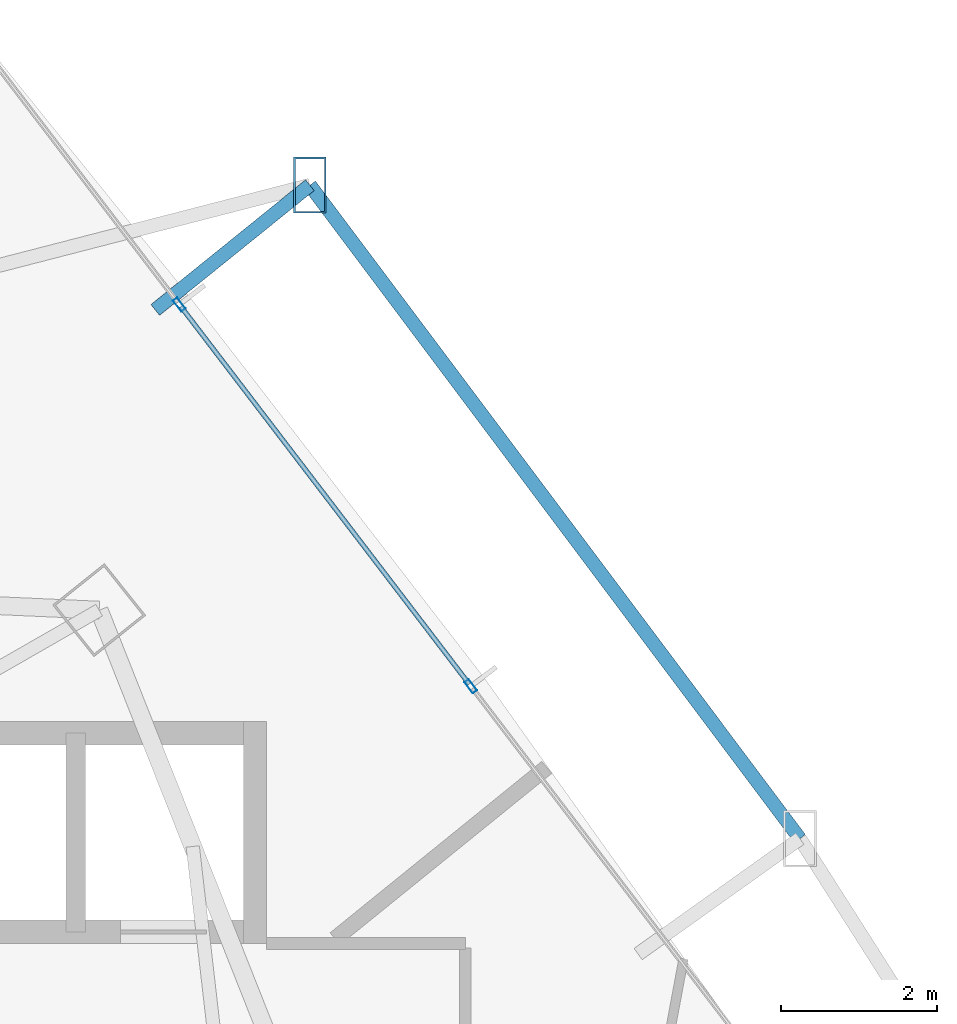
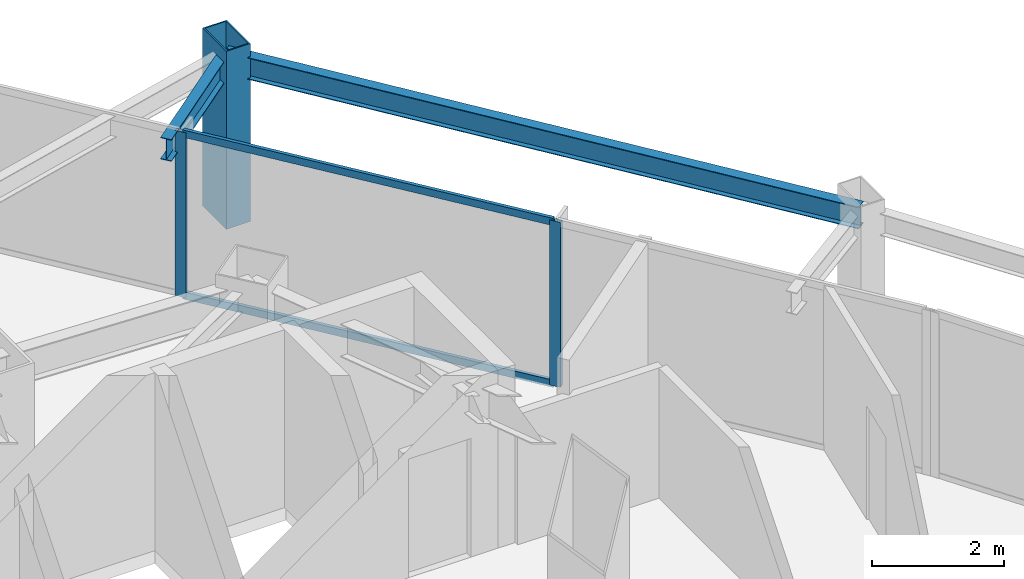
# One storey, part 27 of 34: 5 members, 2 beams, 1 element without a shape of its own.
"""IFC4 building model written with IfcOpenShell, lengths in metres."""

from ifc_helpers import new_model, si_unit, direction, frame, origin, origin_2d, place, context, subcontext, project, spatial, hollow_rectangle, i_section, extrude, material, layer, layer_set, material_profile, profile_set, type_object, element, aggregate, save


model = new_model("IFC4")

# Units and contexts
model_context = context("Model", 3, precision=1e-05, world=origin(), true_north=direction((0.0, 1.0)))
body_context = subcontext(model_context, "Body", "Model", "MODEL_VIEW")
ifc_project = project(units=[si_unit("LENGTHUNIT", "METRE"), si_unit("AREAUNIT", "SQUARE_METRE"), si_unit("VOLUMEUNIT", "CUBIC_METRE"), si_unit("PLANEANGLEUNIT", "RADIAN"), si_unit("MASSUNIT", "GRAM", prefix="KILO")], contexts=[model_context])

# Site, building, storey
site_placement = place(None, origin())
site = spatial("IfcSite", under=ifc_project, at=site_placement, CompositionType="ELEMENT")
building_placement = place(site_placement, origin())
building = spatial("IfcBuilding", under=site, at=building_placement, Name="Orvanel Arch Residences", CompositionType="ELEMENT")
storey_placement = place(building_placement, frame((0.0, 0.0, 74.14990234375)))
storey = spatial("IfcBuildingStorey", under=building, at=storey_placement, Name="L20", CompositionType="ELEMENT", Elevation=74.14990234375)

# Member
ifc_material_1 = material(Name="Structural steel AS/NZS 3678 Grade 350", Category="steel")
ifc_material_profile_1 = material_profile(ifc_material_1, hollow_rectangle(XDim=0.419921875, YDim=0.719970703125, WallThickness=0.02490234375, at=origin_2d()), Name="RHS720x420x25")
ifc_profile_set_1 = profile_set([ifc_material_profile_1], Name="Structural steel AS/NZS 3678 Grade 350")
member_type_1 = type_object("IfcMemberType", Name="CH-720RHS-EXT", PredefinedType="CHORD", material=ifc_profile_set_1)
member_1_placement = place(storey_placement, frame((40.654052734375, 46.632080078125, 0.0), z_axis=(0.0, 0.0, 1.0), x_axis=(1.0, 0.0, 0.0)))
element("IfcMember", 1, at=member_1_placement, inside=storey, type_object=member_type_1, Name="L20 Outer Perimeter Frame Post 12", PredefinedType="CHORD", context=body_context, shape_type="SweptSolid", body=[
    extrude(hollow_rectangle(XDim=0.419921875, YDim=0.719970703125, WallThickness=0.02490234375, at=origin_2d()), origin(), (0.0, 0.0, 1.0), 3.300048828125),
])

# Curtain wall, members
ifc_material_2 = material(Name="Bronze-anodised aluminium AA6063-T6", Category="aluminium")
ifc_layer = layer(ifc_material_2, 0.179931640625)
ifc_layer_set = layer_set([ifc_layer], Name="Bronze-anodised aluminium AA6063-T6")
curtain_wall_type = type_object("IfcCurtainWallType", Name="CW2-LOW-SYS", PredefinedType="NOTDEFINED", material=ifc_layer_set)
curtain_wall_placement = place(storey_placement, origin())
curtain_wall = element("IfcCurtainWall", 2, at=curtain_wall_placement, inside=storey, type_object=curtain_wall_type, Name="L20 CW2-LOW-SYS Unitised Curtain Wall", PredefinedType="NOTDEFINED")
ifc_material_profile_2 = material_profile(ifc_material_2, hollow_rectangle(XDim=0.070068359375, YDim=0.179931640625, WallThickness=0.00439453125, at=origin_2d()), Name="ALU180x70x4.5")
ifc_profile_set_2 = profile_set([ifc_material_profile_2], Name="Bronze-anodised aluminium AA6063-T6")
member_type_2 = type_object("IfcMemberType", Name="MUL-180x70", PredefinedType="MULLION", material=ifc_profile_set_2)
member_2_placement = place(storey_placement, frame((42.72021484375, 40.201416015625, 0.0), z_axis=(0.0, 0.0, 1.0), x_axis=(-0.794739834664, -0.606950241122, 0.0)))
member_2 = element("IfcMember", 3, at=member_2_placement, type_object=member_type_2, Name="CW-S2 mullion 2", PredefinedType="MULLION", context=body_context, shape_type="SweptSolid", body=[
    extrude(hollow_rectangle(XDim=0.070068359375, YDim=0.179931640625, WallThickness=0.00439453125, at=origin_2d()), origin(), (0.0, 0.0, 1.0), 3.06005859375),
])
member_3_placement = place(storey_placement, frame((38.978759765625, 45.1005859375, 0.0), z_axis=(0.0, 0.0, 1.0), x_axis=(-0.794739834664, -0.606950241122, 0.0)))
member_3 = element("IfcMember", 4, at=member_3_placement, type_object=member_type_2, Name="CW-S2 mullion 3", PredefinedType="MULLION", context=body_context, shape_type="SweptSolid", body=[
    extrude(hollow_rectangle(XDim=0.070068359375, YDim=0.179931640625, WallThickness=0.00439453125, at=origin_2d()), origin(), (0.0, 0.0, 1.0), 3.06005859375),
])

# Beams
ifc_material_3 = material(Name="Structural steel AS/NZS 3679.1 Grade 300 (300 MPa)", Category="steel")
ifc_material_profile_3 = material_profile(ifc_material_3, i_section(OverallWidth=0.177978515625, OverallDepth=0.406005859375, WebThickness=0.0078125, FlangeThickness=0.0126953125, at=origin_2d()), Name="410UB59.7")
ifc_profile_set_3 = profile_set([ifc_material_profile_3], Name="Structural steel AS/NZS 3679.1 Grade 300 (300 MPa)")
beam_type = type_object("IfcBeamType", Name="OB-410UB-EXT", PredefinedType="SPANDREL", material=ifc_profile_set_3)
beam_1_placement = place(storey_placement, frame((46.943115234375, 38.2451171875, 2.857177734375), z_axis=(-0.599929198552, 0.800053096191, 0.0), x_axis=(-0.800053096191, -0.599929198552, 0.0)))
element("IfcBeam", 5, at=beam_1_placement, inside=storey, type_object=beam_type, Name="L20 Outer Perimeter Floor Ring Beam 11", PredefinedType="SPANDREL", context=body_context, shape_type="SweptSolid", body=[
    extrude(i_section(OverallWidth=0.177978515625, OverallDepth=0.406005859375, WebThickness=0.0078125, FlangeThickness=0.0126953125, at=origin_2d()), origin(), (0.0, 0.0, 1.0), 10.48291015625),
])
beam_2_placement = place(storey_placement, frame((38.669921875, 45.031005859375, 2.857177734375), z_axis=(0.778227345509, 0.627982642039, 0.0), x_axis=(-0.627982642039, 0.778227345509, 0.0)))
element("IfcBeam", 6, at=beam_2_placement, inside=storey, type_object=beam_type, Name="L20 Outer Frame Radial Tie Beam 12", PredefinedType="SPANDREL", context=body_context, shape_type="SweptSolid", body=[
    extrude(i_section(OverallWidth=0.177978515625, OverallDepth=0.406005859375, WebThickness=0.0078125, FlangeThickness=0.0126953125, at=origin_2d()), origin(), (0.0, 0.0, 1.0), 2.549560546875),
])

# Member
ifc_material_profile_4 = material_profile(ifc_material_2, hollow_rectangle(XDim=0.06005859375, YDim=0.135009765625, WallThickness=0.00390625, at=origin_2d()), Name="ALU135x60x4")
ifc_profile_set_4 = profile_set([ifc_material_profile_4], Name="Bronze-anodised aluminium AA6063-T6")
member_type_3 = type_object("IfcMemberType", Name="TRN-135x60", PredefinedType="USERDEFINED", material=ifc_profile_set_4)
member_4_placement = place(storey_placement, frame((42.698974609375, 40.229248046875, 0.030029296875), z_axis=(-0.606944427707, 0.79474427439, 0.0), x_axis=(-0.79474427439, -0.606944427707, 0.0)))
member_4 = element("IfcMember", 7, at=member_4_placement, type_object=member_type_3, Name="CW-S2 transom 2.1", ObjectType="TRANSOM", PredefinedType="USERDEFINED", context=body_context, shape_type="SweptSolid", body=[
    extrude(hollow_rectangle(XDim=0.06005859375, YDim=0.135009765625, WallThickness=0.00390625, at=origin_2d()), origin(), (0.0, 0.0, 1.0), 6.094482421875),
])

member_5_placement = place(storey_placement, frame((42.698974609375, 40.229248046875, 3.030029296875), z_axis=(-0.606944427707, 0.79474427439, 0.0), x_axis=(-0.79474427439, -0.606944427707, 0.0)))
member_5 = element("IfcMember", 8, at=member_5_placement, type_object=member_type_3, Name="CW-S2 transom 2.2", ObjectType="TRANSOM", PredefinedType="USERDEFINED", context=body_context, shape_type="SweptSolid", body=[
    extrude(hollow_rectangle(XDim=0.06005859375, YDim=0.135009765625, WallThickness=0.00390625, at=origin_2d()), origin(), (0.0, 0.0, 1.0), 6.094482421875),
])

aggregate(curtain_wall, [member_2, member_3, member_4, member_5])

save(model, "model.ifc")
